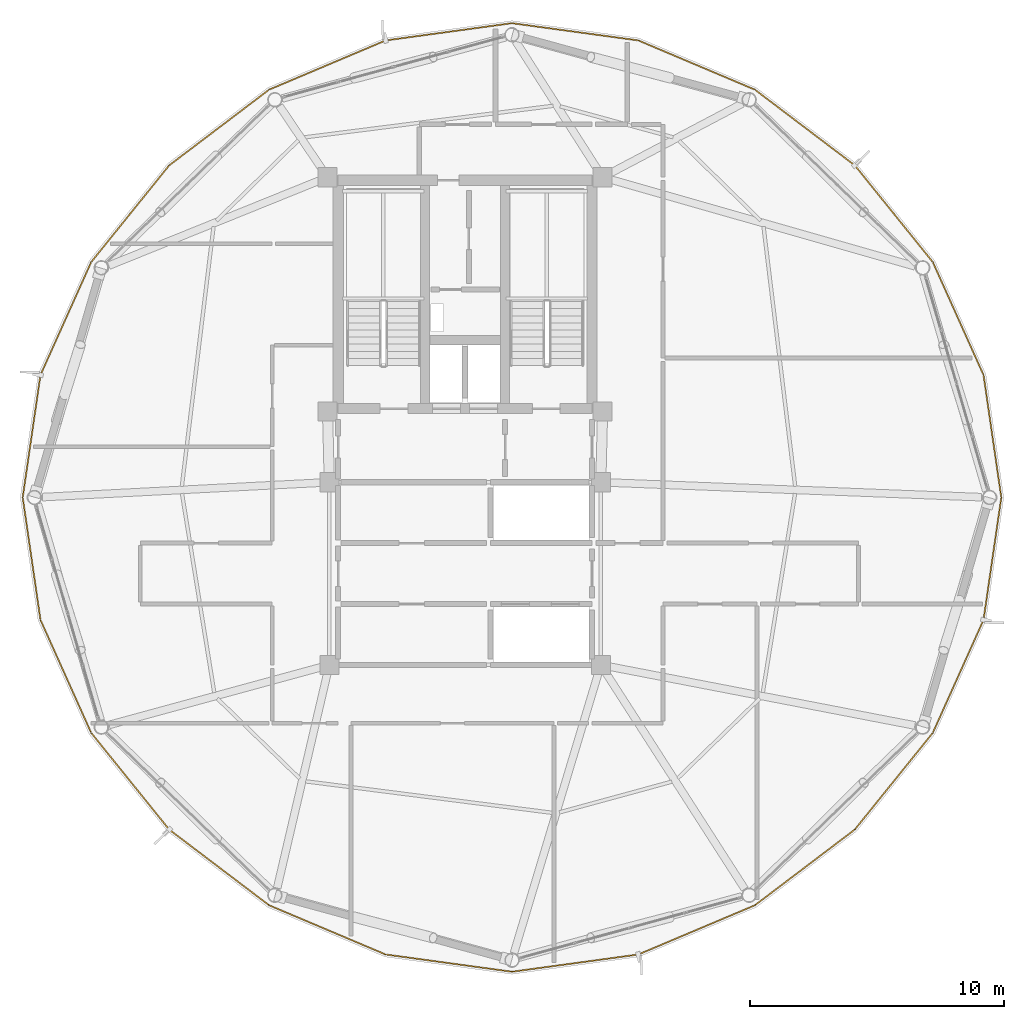
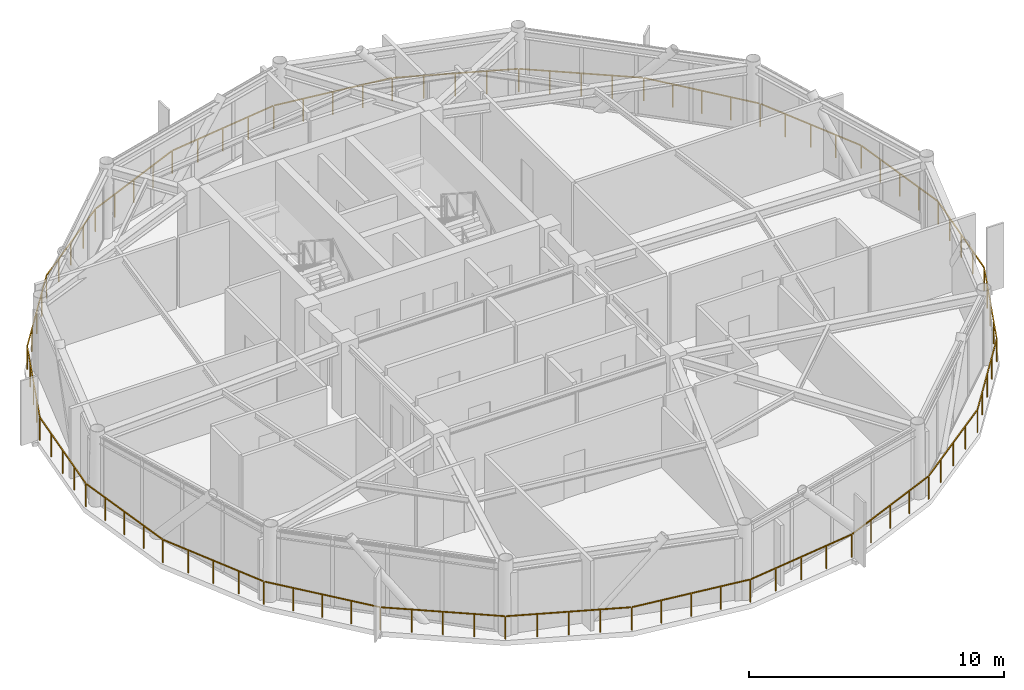
# One storey, part 26 of 27: 1 railing.
"""IFC4 building model written with IfcOpenShell, lengths in metres."""

from ifc_helpers import new_model, si_unit, direction, frame, origin, origin_2d, place, context, subcontext, project, spatial, rectangle, extrude, material, type_object, element, save


model = new_model("IFC4")

# Units and contexts
model_context = context("Model", 3, precision=1e-05, world=origin(), true_north=direction((0.0, 1.0)))
body_context = subcontext(model_context, "Body", "Model", "MODEL_VIEW")
ifc_project = project(units=[si_unit("LENGTHUNIT", "METRE"), si_unit("AREAUNIT", "SQUARE_METRE"), si_unit("VOLUMEUNIT", "CUBIC_METRE"), si_unit("PLANEANGLEUNIT", "RADIAN"), si_unit("MASSUNIT", "GRAM", prefix="KILO")], contexts=[model_context])

# Site, building, storey
site_placement = place(None, origin())
site = spatial("IfcSite", under=ifc_project, at=site_placement, CompositionType="ELEMENT")
building_placement = place(site_placement, origin())
building = spatial("IfcBuilding", under=site, at=building_placement, Name="Varnakorn Sky Granary", CompositionType="ELEMENT")
storey_placement = place(building_placement, frame((0.0, 0.0, 229.199951171875)))
storey = spatial("IfcBuildingStorey", under=building, at=storey_placement, Name="L58", CompositionType="ELEMENT", Elevation=229.199951171875)

# Railing
ifc_material = material(Name="Anodised Bronze Aluminium Alloy 6063-T6", Category="aluminium")
railing_type = type_object("IfcRailingType", Name="RL-BAL-1120", PredefinedType="BALUSTRADE", material=ifc_material)
railing_placement = place(storey_placement, frame((24.133056640625, 0.0, 0.0)))
element("IfcRailing", 1, at=railing_placement, inside=storey, type_object=railing_type, Name="Perimeter Slab-Edge Safety Guard L58", PredefinedType="BALUSTRADE", context=body_context, shape_type="SweptSolid", body=[
    extrude(rectangle(XDim=0.048095703125, YDim=0.048095703125, at=origin_2d()), frame((-0.00390625, -0.027587890625, 1.09619140625), z_axis=(-0.143594719825, -0.989636577961, 0.0), x_axis=(0.989636577961, -0.143594719825, 0.0)), (0.0, 0.0, 1.0), 4.818603515625),
    extrude(rectangle(XDim=0.048095703125, YDim=0.048095703125, at=origin_2d()), frame((-0.71142578125, -4.849609375, 1.09619140625), z_axis=(-0.409626089462, -0.912253510178, 0.0), x_axis=(0.912253510178, -0.409626089462, 0.0)), (0.0, 0.0, 1.0), 4.82421875),
    extrude(rectangle(XDim=0.048095703125, YDim=0.048095703125, at=origin_2d()), frame((-2.716552734375, -9.297607421875, 1.09619140625), z_axis=(-0.627796292319, -0.778377681688, 0.0), x_axis=(0.778377681688, -0.627796292319, 0.0)), (0.0, 0.0, 1.0), 4.842041015625),
    extrude(rectangle(XDim=0.048095703125, YDim=0.048095703125, at=origin_2d()), frame((-5.796142578125, -13.105224609375, 1.09619140625), z_axis=(-0.797035164583, -0.603932898936, 0.0), x_axis=(0.603932898936, -0.797035164583, 0.0)), (0.0, 0.0, 1.0), 4.881103515625),
    extrude(rectangle(XDim=0.048095703125, YDim=0.048095703125, at=origin_2d()), frame((-9.73486328125, -16.0810546875, 1.09619140625), z_axis=(-0.921205517334, -0.389076335483, 0.0), x_axis=(0.389076335483, -0.921205517334, 0.0)), (0.0, 0.0, 1.0), 4.9326171875),
    extrude(rectangle(XDim=0.048095703125, YDim=0.048095703125, at=origin_2d()), frame((-14.332275390625, -18.014892578125, 1.09619140625), z_axis=(-0.99079583908, -0.135364712028, 0.0), x_axis=(0.135364712028, -0.99079583908, 0.0)), (0.0, 0.0, 1.0), 4.96875),
    extrude(rectangle(XDim=0.048095703125, YDim=0.048095703125, at=origin_2d()), frame((-19.310791015625, -18.687255859375, 1.09619140625), z_axis=(-0.990796729313, 0.135358195845, 0.0), x_axis=(-0.135358195845, -0.990796729313, 0.0)), (0.0, 0.0, 1.0), 4.968994140625),
    extrude(rectangle(XDim=0.048095703125, YDim=0.048095703125, at=origin_2d()), frame((-24.28759765625, -18.0, 1.09619140625), z_axis=(-0.921205517334, 0.389076335483, 0.0), x_axis=(-0.389076335483, -0.921205517334, 0.0)), (0.0, 0.0, 1.0), 4.9326171875),
    extrude(rectangle(XDim=0.048095703125, YDim=0.048095703125, at=origin_2d()), frame((-28.87939453125, -16.05322265625, 1.09619140625), z_axis=(-0.797035164583, 0.603932898936, 0.0), x_axis=(-0.603932898936, -0.797035164583, 0.0)), (0.0, 0.0, 1.0), 4.881103515625),
    extrude(rectangle(XDim=0.048095703125, YDim=0.048095703125, at=origin_2d()), frame((-32.809814453125, -13.066650390625, 1.09619140625), z_axis=(-0.627796292319, 0.778377681688, 0.0), x_axis=(-0.778377681688, -0.627796292319, 0.0)), (0.0, 0.0, 1.0), 4.842041015625),
    extrude(rectangle(XDim=0.048095703125, YDim=0.048095703125, at=origin_2d()), frame((-35.878662109375, -9.250244140625, 1.09619140625), z_axis=(-0.40958445488, 0.912272204071, 0.0), x_axis=(-0.912272204071, -0.40958445488, 0.0)), (0.0, 0.0, 1.0), 4.823974609375),
    extrude(rectangle(XDim=0.048095703125, YDim=0.048095703125, at=origin_2d()), frame((-37.869873046875, -4.79638671875, 1.09619140625), z_axis=(-0.143643771921, 0.989629459337, 0.0), x_axis=(-0.989629459337, -0.143643771921, 0.0)), (0.0, 0.0, 1.0), 4.818603515625),
    extrude(rectangle(XDim=0.048095703125, YDim=0.048095703125, at=origin_2d()), frame((-38.562255859375, 0.027587890625, 1.09619140625), z_axis=(0.143643771921, 0.989629459337, 0.0), x_axis=(-0.989629459337, 0.143643771921, 0.0)), (0.0, 0.0, 1.0), 4.818603515625),
    extrude(rectangle(XDim=0.048095703125, YDim=0.048095703125, at=origin_2d()), frame((-37.8544921875, 4.849609375, 1.09619140625), z_axis=(0.40958445488, 0.912272204071, 0.0), x_axis=(-0.912272204071, 0.40958445488, 0.0)), (0.0, 0.0, 1.0), 4.823974609375),
    extrude(rectangle(XDim=0.048095703125, YDim=0.048095703125, at=origin_2d()), frame((-35.849609375, 9.297607421875, 1.09619140625), z_axis=(0.627796292319, 0.778377681688, 0.0), x_axis=(-0.778377681688, 0.627796292319, 0.0)), (0.0, 0.0, 1.0), 4.842041015625),
    extrude(rectangle(XDim=0.048095703125, YDim=0.048095703125, at=origin_2d()), frame((-32.77001953125, 13.105224609375, 1.09619140625), z_axis=(0.797035164583, 0.603932898936, 0.0), x_axis=(-0.603932898936, 0.797035164583, 0.0)), (0.0, 0.0, 1.0), 4.881103515625),
    extrude(rectangle(XDim=0.048095703125, YDim=0.048095703125, at=origin_2d()), frame((-28.831298828125, 16.0810546875, 1.09619140625), z_axis=(0.921205517334, 0.389076335483, 0.0), x_axis=(-0.389076335483, 0.921205517334, 0.0)), (0.0, 0.0, 1.0), 4.9326171875),
    extrude(rectangle(XDim=0.048095703125, YDim=0.048095703125, at=origin_2d()), frame((-24.23388671875, 18.014892578125, 1.09619140625), z_axis=(0.990796729313, 0.135358195845, 0.0), x_axis=(-0.135358195845, 0.990796729313, 0.0)), (0.0, 0.0, 1.0), 4.968994140625),
    extrude(rectangle(XDim=0.048095703125, YDim=0.048095703125, at=origin_2d()), frame((-19.255126953125, 18.687255859375, 1.09619140625), z_axis=(0.99079583908, -0.135364712028, 0.0), x_axis=(0.135364712028, 0.99079583908, 0.0)), (0.0, 0.0, 1.0), 4.96875),
    extrude(rectangle(XDim=0.048095703125, YDim=0.048095703125, at=origin_2d()), frame((-14.278564453125, 18.0, 1.09619140625), z_axis=(0.921205517334, -0.389076335483, 0.0), x_axis=(0.389076335483, 0.921205517334, 0.0)), (0.0, 0.0, 1.0), 4.9326171875),
    extrude(rectangle(XDim=0.048095703125, YDim=0.048095703125, at=origin_2d()), frame((-9.686767578125, 16.05322265625, 1.09619140625), z_axis=(0.797035164583, -0.603932898936, 0.0), x_axis=(0.603932898936, 0.797035164583, 0.0)), (0.0, 0.0, 1.0), 4.881103515625),
    extrude(rectangle(XDim=0.048095703125, YDim=0.048095703125, at=origin_2d()), frame((-5.75634765625, 13.066650390625, 1.09619140625), z_axis=(0.627796292319, -0.778377681688, 0.0), x_axis=(0.778377681688, 0.627796292319, 0.0)), (0.0, 0.0, 1.0), 4.842041015625),
    extrude(rectangle(XDim=0.048095703125, YDim=0.048095703125, at=origin_2d()), frame((-2.6875, 9.250244140625, 1.09619140625), z_axis=(0.409626089462, -0.912253510178, 0.0), x_axis=(0.912253510178, 0.409626089462, 0.0)), (0.0, 0.0, 1.0), 4.82421875),
    extrude(rectangle(XDim=0.048095703125, YDim=0.048095703125, at=origin_2d()), frame((-0.696044921875, 4.79638671875, 1.09619140625), z_axis=(0.143594719825, -0.989636577961, 0.0), x_axis=(0.989636577961, 0.143594719825, 0.0)), (0.0, 0.0, 1.0), 4.818603515625),
    extrude(rectangle(XDim=0.0419921875, YDim=0.0419921875, at=origin_2d()), origin(), (0.0, 0.0, 1.0), 1.068115234375),
    extrude(rectangle(XDim=0.0419921875, YDim=0.0419921875, at=origin_2d()), frame((-0.175048828125, -1.2060546875, 0.0)), (0.0, 0.0, 1.0), 1.068115234375),
    extrude(rectangle(XDim=0.0419921875, YDim=0.0419921875, at=origin_2d()), frame((-0.35009765625, -2.412109375, 0.0)), (0.0, 0.0, 1.0), 1.068115234375),
    extrude(rectangle(XDim=0.0419921875, YDim=0.0419921875, at=origin_2d()), frame((-0.52490234375, -3.617919921875, 0.0)), (0.0, 0.0, 1.0), 1.068115234375),
    extrude(rectangle(XDim=0.0419921875, YDim=0.0419921875, at=origin_2d()), frame((-0.699951171875, -4.823974609375, 0.0)), (0.0, 0.0, 1.0), 1.068115234375),
    extrude(rectangle(XDim=0.0419921875, YDim=0.0419921875, at=origin_2d()), frame((-1.19970703125, -5.93701171875, 0.0)), (0.0, 0.0, 1.0), 1.068115234375),
    extrude(rectangle(XDim=0.0419921875, YDim=0.0419921875, at=origin_2d()), frame((-1.699462890625, -7.0498046875, 0.0)), (0.0, 0.0, 1.0), 1.068115234375),
    extrude(rectangle(XDim=0.0419921875, YDim=0.0419921875, at=origin_2d()), frame((-2.19921875, -8.162841796875, 0.0)), (0.0, 0.0, 1.0), 1.068115234375),
    extrude(rectangle(XDim=0.0419921875, YDim=0.0419921875, at=origin_2d()), frame((-2.698974609375, -9.27587890625, 0.0)), (0.0, 0.0, 1.0), 1.068115234375),
    extrude(rectangle(XDim=0.0419921875, YDim=0.0419921875, at=origin_2d()), frame((-3.4677734375, -10.22900390625, 0.0)), (0.0, 0.0, 1.0), 1.068115234375),
    extrude(rectangle(XDim=0.0419921875, YDim=0.0419921875, at=origin_2d()), frame((-4.236328125, -11.18212890625, 0.0)), (0.0, 0.0, 1.0), 1.068115234375),
    extrude(rectangle(XDim=0.0419921875, YDim=0.0419921875, at=origin_2d()), frame((-5.005126953125, -12.13525390625, 0.0)), (0.0, 0.0, 1.0), 1.068115234375),
    extrude(rectangle(XDim=0.0419921875, YDim=0.0419921875, at=origin_2d()), frame((-5.77392578125, -13.08837890625, 0.0)), (0.0, 0.0, 1.0), 1.068115234375),
    extrude(rectangle(XDim=0.0419921875, YDim=0.0419921875, at=origin_2d()), frame((-6.7578125, -13.833740234375, 0.0)), (0.0, 0.0, 1.0), 1.068115234375),
    extrude(rectangle(XDim=0.0419921875, YDim=0.0419921875, at=origin_2d()), frame((-7.741455078125, -14.5791015625, 0.0)), (0.0, 0.0, 1.0), 1.068115234375),
    extrude(rectangle(XDim=0.0419921875, YDim=0.0419921875, at=origin_2d()), frame((-8.72509765625, -15.32470703125, 0.0)), (0.0, 0.0, 1.0), 1.068115234375),
    extrude(rectangle(XDim=0.0419921875, YDim=0.0419921875, at=origin_2d()), frame((-9.708984375, -16.070068359375, 0.0)), (0.0, 0.0, 1.0), 1.068115234375),
    extrude(rectangle(XDim=0.0419921875, YDim=0.0419921875, at=origin_2d()), frame((-10.85791015625, -16.55517578125, 0.0)), (0.0, 0.0, 1.0), 1.068115234375),
    extrude(rectangle(XDim=0.0419921875, YDim=0.0419921875, at=origin_2d()), frame((-12.0068359375, -17.04052734375, 0.0)), (0.0, 0.0, 1.0), 1.068115234375),
    extrude(rectangle(XDim=0.0419921875, YDim=0.0419921875, at=origin_2d()), frame((-13.155517578125, -17.52587890625, 0.0)), (0.0, 0.0, 1.0), 1.068115234375),
    extrude(rectangle(XDim=0.0419921875, YDim=0.0419921875, at=origin_2d()), frame((-14.304443359375, -18.010986328125, 0.0)), (0.0, 0.0, 1.0), 1.068115234375),
    extrude(rectangle(XDim=0.0419921875, YDim=0.0419921875, at=origin_2d()), frame((-15.549072265625, -18.18115234375, 0.0)), (0.0, 0.0, 1.0), 1.068115234375),
    extrude(rectangle(XDim=0.0419921875, YDim=0.0419921875, at=origin_2d()), frame((-16.793701171875, -18.35107421875, 0.0)), (0.0, 0.0, 1.0), 1.068115234375),
    extrude(rectangle(XDim=0.0419921875, YDim=0.0419921875, at=origin_2d()), frame((-18.038330078125, -18.52099609375, 0.0)), (0.0, 0.0, 1.0), 1.068115234375),
    extrude(rectangle(XDim=0.0419921875, YDim=0.0419921875, at=origin_2d()), frame((-19.282958984375, -18.691162109375, 0.0)), (0.0, 0.0, 1.0), 1.068115234375),
    extrude(rectangle(XDim=0.0419921875, YDim=0.0419921875, at=origin_2d()), frame((-20.527587890625, -18.52099609375, 0.0)), (0.0, 0.0, 1.0), 1.068115234375),
    extrude(rectangle(XDim=0.0419921875, YDim=0.0419921875, at=origin_2d()), frame((-21.7724609375, -18.35107421875, 0.0)), (0.0, 0.0, 1.0), 1.068115234375),
    extrude(rectangle(XDim=0.0419921875, YDim=0.0419921875, at=origin_2d()), frame((-23.01708984375, -18.18115234375, 0.0)), (0.0, 0.0, 1.0), 1.068115234375),
    extrude(rectangle(XDim=0.0419921875, YDim=0.0419921875, at=origin_2d()), frame((-24.26171875, -18.010986328125, 0.0)), (0.0, 0.0, 1.0), 1.068115234375),
    extrude(rectangle(XDim=0.0419921875, YDim=0.0419921875, at=origin_2d()), frame((-25.41064453125, -17.52587890625, 0.0)), (0.0, 0.0, 1.0), 1.068115234375),
    extrude(rectangle(XDim=0.0419921875, YDim=0.0419921875, at=origin_2d()), frame((-26.5595703125, -17.04052734375, 0.0)), (0.0, 0.0, 1.0), 1.068115234375),
    extrude(rectangle(XDim=0.0419921875, YDim=0.0419921875, at=origin_2d()), frame((-27.708251953125, -16.55517578125, 0.0)), (0.0, 0.0, 1.0), 1.068115234375),
    extrude(rectangle(XDim=0.0419921875, YDim=0.0419921875, at=origin_2d()), frame((-28.857177734375, -16.070068359375, 0.0)), (0.0, 0.0, 1.0), 1.068115234375),
    extrude(rectangle(XDim=0.0419921875, YDim=0.0419921875, at=origin_2d()), frame((-29.8408203125, -15.32470703125, 0.0)), (0.0, 0.0, 1.0), 1.068115234375),
    extrude(rectangle(XDim=0.0419921875, YDim=0.0419921875, at=origin_2d()), frame((-30.82470703125, -14.5791015625, 0.0)), (0.0, 0.0, 1.0), 1.068115234375),
    extrude(rectangle(XDim=0.0419921875, YDim=0.0419921875, at=origin_2d()), frame((-31.80859375, -13.833740234375, 0.0)), (0.0, 0.0, 1.0), 1.068115234375),
    extrude(rectangle(XDim=0.0419921875, YDim=0.0419921875, at=origin_2d()), frame((-32.792236328125, -13.08837890625, 0.0)), (0.0, 0.0, 1.0), 1.068115234375),
    extrude(rectangle(XDim=0.0419921875, YDim=0.0419921875, at=origin_2d()), frame((-33.56103515625, -12.13525390625, 0.0)), (0.0, 0.0, 1.0), 1.068115234375),
    extrude(rectangle(XDim=0.0419921875, YDim=0.0419921875, at=origin_2d()), frame((-34.32958984375, -11.18212890625, 0.0)), (0.0, 0.0, 1.0), 1.068115234375),
    extrude(rectangle(XDim=0.0419921875, YDim=0.0419921875, at=origin_2d()), frame((-35.098388671875, -10.22900390625, 0.0)), (0.0, 0.0, 1.0), 1.068115234375),
    extrude(rectangle(XDim=0.0419921875, YDim=0.0419921875, at=origin_2d()), frame((-35.8671875, -9.27587890625, 0.0)), (0.0, 0.0, 1.0), 1.068115234375),
    extrude(rectangle(XDim=0.0419921875, YDim=0.0419921875, at=origin_2d()), frame((-36.366943359375, -8.162841796875, 0.0)), (0.0, 0.0, 1.0), 1.068115234375),
    extrude(rectangle(XDim=0.0419921875, YDim=0.0419921875, at=origin_2d()), frame((-36.86669921875, -7.0498046875, 0.0)), (0.0, 0.0, 1.0), 1.068115234375),
    extrude(rectangle(XDim=0.0419921875, YDim=0.0419921875, at=origin_2d()), frame((-37.3662109375, -5.93701171875, 0.0)), (0.0, 0.0, 1.0), 1.068115234375),
    extrude(rectangle(XDim=0.0419921875, YDim=0.0419921875, at=origin_2d()), frame((-37.865966796875, -4.823974609375, 0.0)), (0.0, 0.0, 1.0), 1.068115234375),
    extrude(rectangle(XDim=0.0419921875, YDim=0.0419921875, at=origin_2d()), frame((-38.041015625, -3.617919921875, 0.0)), (0.0, 0.0, 1.0), 1.068115234375),
    extrude(rectangle(XDim=0.0419921875, YDim=0.0419921875, at=origin_2d()), frame((-38.216064453125, -2.412109375, 0.0)), (0.0, 0.0, 1.0), 1.068115234375),
    extrude(rectangle(XDim=0.0419921875, YDim=0.0419921875, at=origin_2d()), frame((-38.39111328125, -1.2060546875, 0.0)), (0.0, 0.0, 1.0), 1.068115234375),
    extrude(rectangle(XDim=0.0419921875, YDim=0.0419921875, at=origin_2d()), frame((-38.566162109375, 0.0, 0.0)), (0.0, 0.0, 1.0), 1.068115234375),
    extrude(rectangle(XDim=0.0419921875, YDim=0.0419921875, at=origin_2d()), frame((-38.39111328125, 1.2060546875, 0.0)), (0.0, 0.0, 1.0), 1.068115234375),
    extrude(rectangle(XDim=0.0419921875, YDim=0.0419921875, at=origin_2d()), frame((-38.216064453125, 2.412109375, 0.0)), (0.0, 0.0, 1.0), 1.068115234375),
    extrude(rectangle(XDim=0.0419921875, YDim=0.0419921875, at=origin_2d()), frame((-38.041015625, 3.617919921875, 0.0)), (0.0, 0.0, 1.0), 1.068115234375),
    extrude(rectangle(XDim=0.0419921875, YDim=0.0419921875, at=origin_2d()), frame((-37.865966796875, 4.823974609375, 0.0)), (0.0, 0.0, 1.0), 1.068115234375),
    extrude(rectangle(XDim=0.0419921875, YDim=0.0419921875, at=origin_2d()), frame((-37.3662109375, 5.93701171875, 0.0)), (0.0, 0.0, 1.0), 1.068115234375),
    extrude(rectangle(XDim=0.0419921875, YDim=0.0419921875, at=origin_2d()), frame((-36.86669921875, 7.0498046875, 0.0)), (0.0, 0.0, 1.0), 1.068115234375),
    extrude(rectangle(XDim=0.0419921875, YDim=0.0419921875, at=origin_2d()), frame((-36.366943359375, 8.162841796875, 0.0)), (0.0, 0.0, 1.0), 1.068115234375),
    extrude(rectangle(XDim=0.0419921875, YDim=0.0419921875, at=origin_2d()), frame((-35.8671875, 9.27587890625, 0.0)), (0.0, 0.0, 1.0), 1.068115234375),
    extrude(rectangle(XDim=0.0419921875, YDim=0.0419921875, at=origin_2d()), frame((-35.098388671875, 10.22900390625, 0.0)), (0.0, 0.0, 1.0), 1.068115234375),
    extrude(rectangle(XDim=0.0419921875, YDim=0.0419921875, at=origin_2d()), frame((-34.32958984375, 11.18212890625, 0.0)), (0.0, 0.0, 1.0), 1.068115234375),
    extrude(rectangle(XDim=0.0419921875, YDim=0.0419921875, at=origin_2d()), frame((-33.56103515625, 12.13525390625, 0.0)), (0.0, 0.0, 1.0), 1.068115234375),
    extrude(rectangle(XDim=0.0419921875, YDim=0.0419921875, at=origin_2d()), frame((-32.792236328125, 13.08837890625, 0.0)), (0.0, 0.0, 1.0), 1.068115234375),
    extrude(rectangle(XDim=0.0419921875, YDim=0.0419921875, at=origin_2d()), frame((-31.80859375, 13.833740234375, 0.0)), (0.0, 0.0, 1.0), 1.068115234375),
    extrude(rectangle(XDim=0.0419921875, YDim=0.0419921875, at=origin_2d()), frame((-30.82470703125, 14.5791015625, 0.0)), (0.0, 0.0, 1.0), 1.068115234375),
    extrude(rectangle(XDim=0.0419921875, YDim=0.0419921875, at=origin_2d()), frame((-29.8408203125, 15.32470703125, 0.0)), (0.0, 0.0, 1.0), 1.068115234375),
    extrude(rectangle(XDim=0.0419921875, YDim=0.0419921875, at=origin_2d()), frame((-28.857177734375, 16.070068359375, 0.0)), (0.0, 0.0, 1.0), 1.068115234375),
    extrude(rectangle(XDim=0.0419921875, YDim=0.0419921875, at=origin_2d()), frame((-27.708251953125, 16.55517578125, 0.0)), (0.0, 0.0, 1.0), 1.068115234375),
    extrude(rectangle(XDim=0.0419921875, YDim=0.0419921875, at=origin_2d()), frame((-26.5595703125, 17.04052734375, 0.0)), (0.0, 0.0, 1.0), 1.068115234375),
    extrude(rectangle(XDim=0.0419921875, YDim=0.0419921875, at=origin_2d()), frame((-25.41064453125, 17.52587890625, 0.0)), (0.0, 0.0, 1.0), 1.068115234375),
    extrude(rectangle(XDim=0.0419921875, YDim=0.0419921875, at=origin_2d()), frame((-24.26171875, 18.010986328125, 0.0)), (0.0, 0.0, 1.0), 1.068115234375),
    extrude(rectangle(XDim=0.0419921875, YDim=0.0419921875, at=origin_2d()), frame((-23.01708984375, 18.18115234375, 0.0)), (0.0, 0.0, 1.0), 1.068115234375),
    extrude(rectangle(XDim=0.0419921875, YDim=0.0419921875, at=origin_2d()), frame((-21.7724609375, 18.35107421875, 0.0)), (0.0, 0.0, 1.0), 1.068115234375),
    extrude(rectangle(XDim=0.0419921875, YDim=0.0419921875, at=origin_2d()), frame((-20.527587890625, 18.52099609375, 0.0)), (0.0, 0.0, 1.0), 1.068115234375),
    extrude(rectangle(XDim=0.0419921875, YDim=0.0419921875, at=origin_2d()), frame((-19.282958984375, 18.691162109375, 0.0)), (0.0, 0.0, 1.0), 1.068115234375),
    extrude(rectangle(XDim=0.0419921875, YDim=0.0419921875, at=origin_2d()), frame((-18.038330078125, 18.52099609375, 0.0)), (0.0, 0.0, 1.0), 1.068115234375),
    extrude(rectangle(XDim=0.0419921875, YDim=0.0419921875, at=origin_2d()), frame((-16.793701171875, 18.35107421875, 0.0)), (0.0, 0.0, 1.0), 1.068115234375),
    extrude(rectangle(XDim=0.0419921875, YDim=0.0419921875, at=origin_2d()), frame((-15.549072265625, 18.18115234375, 0.0)), (0.0, 0.0, 1.0), 1.068115234375),
    extrude(rectangle(XDim=0.0419921875, YDim=0.0419921875, at=origin_2d()), frame((-14.304443359375, 18.010986328125, 0.0)), (0.0, 0.0, 1.0), 1.068115234375),
    extrude(rectangle(XDim=0.0419921875, YDim=0.0419921875, at=origin_2d()), frame((-13.155517578125, 17.52587890625, 0.0)), (0.0, 0.0, 1.0), 1.068115234375),
    extrude(rectangle(XDim=0.0419921875, YDim=0.0419921875, at=origin_2d()), frame((-12.0068359375, 17.04052734375, 0.0)), (0.0, 0.0, 1.0), 1.068115234375),
    extrude(rectangle(XDim=0.0419921875, YDim=0.0419921875, at=origin_2d()), frame((-10.85791015625, 16.55517578125, 0.0)), (0.0, 0.0, 1.0), 1.068115234375),
    extrude(rectangle(XDim=0.0419921875, YDim=0.0419921875, at=origin_2d()), frame((-9.708984375, 16.070068359375, 0.0)), (0.0, 0.0, 1.0), 1.068115234375),
    extrude(rectangle(XDim=0.0419921875, YDim=0.0419921875, at=origin_2d()), frame((-8.72509765625, 15.32470703125, 0.0)), (0.0, 0.0, 1.0), 1.068115234375),
    extrude(rectangle(XDim=0.0419921875, YDim=0.0419921875, at=origin_2d()), frame((-7.741455078125, 14.5791015625, 0.0)), (0.0, 0.0, 1.0), 1.068115234375),
    extrude(rectangle(XDim=0.0419921875, YDim=0.0419921875, at=origin_2d()), frame((-6.7578125, 13.833740234375, 0.0)), (0.0, 0.0, 1.0), 1.068115234375),
    extrude(rectangle(XDim=0.0419921875, YDim=0.0419921875, at=origin_2d()), frame((-5.77392578125, 13.08837890625, 0.0)), (0.0, 0.0, 1.0), 1.068115234375),
    extrude(rectangle(XDim=0.0419921875, YDim=0.0419921875, at=origin_2d()), frame((-5.005126953125, 12.13525390625, 0.0)), (0.0, 0.0, 1.0), 1.068115234375),
    extrude(rectangle(XDim=0.0419921875, YDim=0.0419921875, at=origin_2d()), frame((-4.236328125, 11.18212890625, 0.0)), (0.0, 0.0, 1.0), 1.068115234375),
    extrude(rectangle(XDim=0.0419921875, YDim=0.0419921875, at=origin_2d()), frame((-3.4677734375, 10.22900390625, 0.0)), (0.0, 0.0, 1.0), 1.068115234375),
    extrude(rectangle(XDim=0.0419921875, YDim=0.0419921875, at=origin_2d()), frame((-2.698974609375, 9.27587890625, 0.0)), (0.0, 0.0, 1.0), 1.068115234375),
    extrude(rectangle(XDim=0.0419921875, YDim=0.0419921875, at=origin_2d()), frame((-2.19921875, 8.162841796875, 0.0)), (0.0, 0.0, 1.0), 1.068115234375),
    extrude(rectangle(XDim=0.0419921875, YDim=0.0419921875, at=origin_2d()), frame((-1.699462890625, 7.0498046875, 0.0)), (0.0, 0.0, 1.0), 1.068115234375),
    extrude(rectangle(XDim=0.0419921875, YDim=0.0419921875, at=origin_2d()), frame((-1.19970703125, 5.93701171875, 0.0)), (0.0, 0.0, 1.0), 1.068115234375),
    extrude(rectangle(XDim=0.0419921875, YDim=0.0419921875, at=origin_2d()), frame((-0.699951171875, 4.823974609375, 0.0)), (0.0, 0.0, 1.0), 1.068115234375),
    extrude(rectangle(XDim=0.0419921875, YDim=0.0419921875, at=origin_2d()), frame((-0.52490234375, 3.617919921875, 0.0)), (0.0, 0.0, 1.0), 1.068115234375),
    extrude(rectangle(XDim=0.0419921875, YDim=0.0419921875, at=origin_2d()), frame((-0.35009765625, 2.412109375, 0.0)), (0.0, 0.0, 1.0), 1.068115234375),
    extrude(rectangle(XDim=0.0419921875, YDim=0.0419921875, at=origin_2d()), frame((-0.175048828125, 1.2060546875, 0.0)), (0.0, 0.0, 1.0), 1.068115234375),
])

save(model, "model.ifc")
